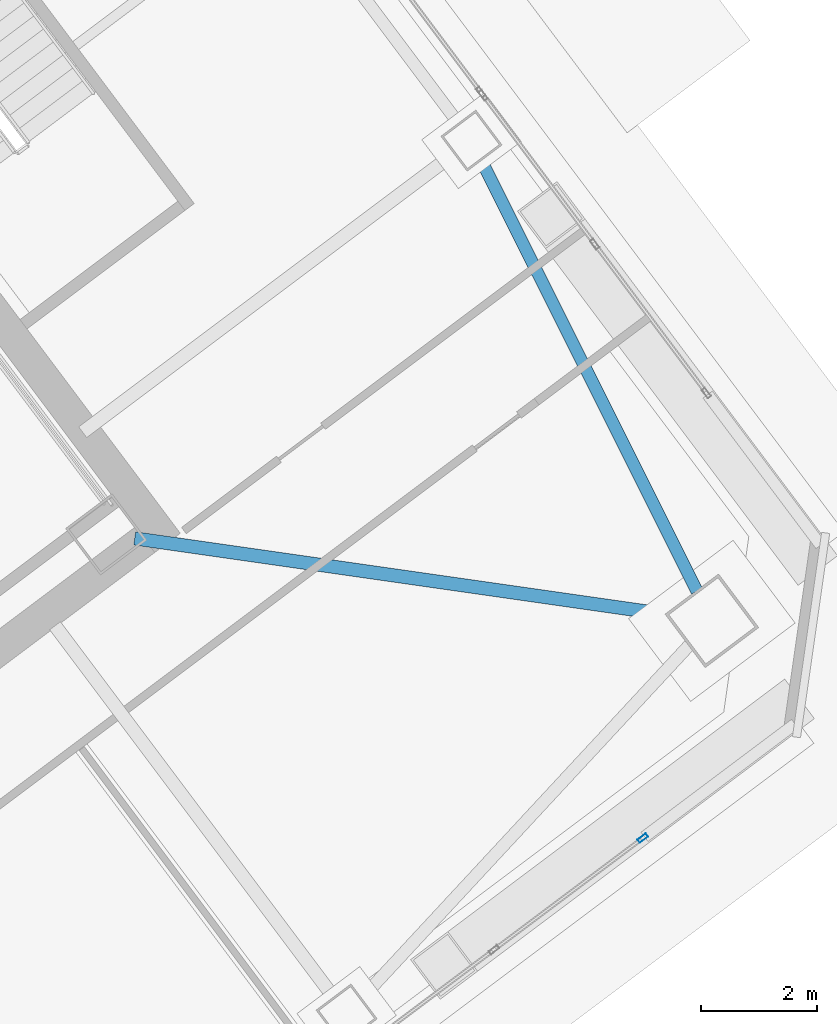
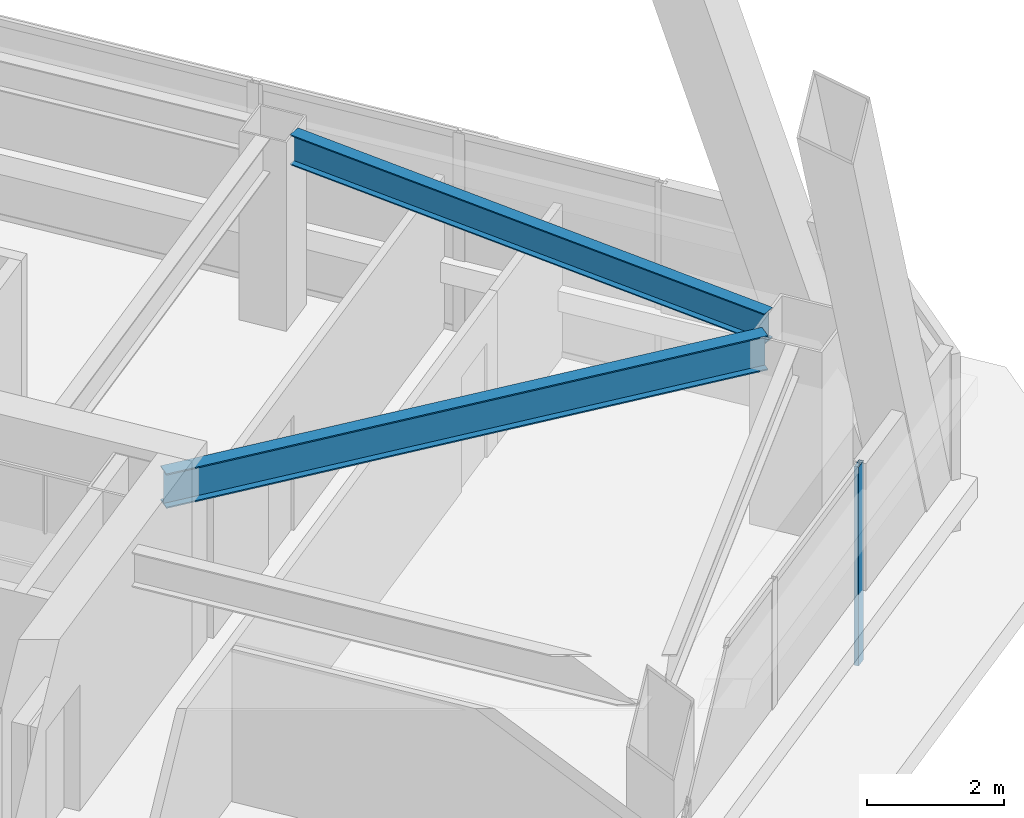
# One storey, part 42 of 65: 2 beams, 1 member, 1 element without a shape of its own.
"""IFC4 building model written with IfcOpenShell, lengths in metres."""

from ifc_helpers import new_model, si_unit, direction, frame, origin, origin_2d, place, context, subcontext, project, spatial, hollow_rectangle, i_section, extrude, material, material_profile, profile_set, type_object, element, aggregate, save


model = new_model("IFC4")

# Units and contexts
model_context = context("Model", 3, precision=1e-05, world=origin(), true_north=direction((0.0, 1.0)))
body_context = subcontext(model_context, "Body", "Model", "MODEL_VIEW")
ifc_project = project(units=[si_unit("LENGTHUNIT", "METRE"), si_unit("AREAUNIT", "SQUARE_METRE"), si_unit("VOLUMEUNIT", "CUBIC_METRE"), si_unit("PLANEANGLEUNIT", "RADIAN"), si_unit("MASSUNIT", "GRAM", prefix="KILO")], contexts=[model_context])

# Site, building, storey
site_placement = place(None, origin())
site = spatial("IfcSite", under=ifc_project, at=site_placement, CompositionType="ELEMENT")
building_placement = place(site_placement, origin())
building = spatial("IfcBuilding", under=site, at=building_placement, Name="Tashvorn Skyway Center", CompositionType="ELEMENT")
storey_placement = place(building_placement, frame((0.0, 0.0, 157.0)))
storey = spatial("IfcBuildingStorey", under=building, at=storey_placement, Name="L42", CompositionType="ELEMENT", Elevation=157.0)

# Beams
ifc_material_1 = material(Name="Steel ASTM A992 Grade 50", Category="steel")
ifc_material_profile_1 = material_profile(ifc_material_1, i_section(OverallWidth=0.22998046875, OverallDepth=0.616943359375, WebThickness=0.01318359375, FlangeThickness=0.022216796875, at=origin_2d()), Name="W24X94")
ifc_profile_set_1 = profile_set([ifc_material_profile_1], Name="Steel ASTM A992 Grade 50")
beam_type_1 = type_object("IfcBeamType", Name="BM-BEAM-W24X94", PredefinedType="BEAM", material=ifc_profile_set_1)
beam_1_placement = place(storey_placement, frame((133.73583984375, 29.1806640625, 3.0615234375), z_axis=(-0.989950009213, 0.141417747326, 0.0), x_axis=(-0.141417747326, -0.989950009213, 0.0)))
element("IfcBeam", 1, at=beam_1_placement, inside=storey, type_object=beam_type_1, Name="Tower 2 L42 Primary Floor Girder MC-SE", PredefinedType="BEAM", context=body_context, shape_type="SweptSolid", body=[
    extrude(i_section(OverallWidth=0.22998046875, OverallDepth=0.616943359375, WebThickness=0.01318359375, FlangeThickness=0.022216796875, at=origin_2d()), origin(), (0.0, 0.0, 1.0), 9.470947265625),
])
ifc_material_profile_2 = material_profile(ifc_material_1, i_section(OverallWidth=0.2109375, OverallDepth=0.5390625, WebThickness=0.01171875, FlangeThickness=0.018798828125, at=origin_2d()), Name="W21X73")
ifc_profile_set_2 = profile_set([ifc_material_profile_2], Name="Steel ASTM A992 Grade 50")
beam_type_2 = type_object("IfcBeamType", Name="BM-SPANDREL-W21X73", PredefinedType="SPANDREL", material=ifc_profile_set_2)
beam_2_placement = place(storey_placement, frame((134.044921875, 29.609619140625, 3.1005859375), z_axis=(-0.447648438059, 0.894209637559, 0.0), x_axis=(-0.894209637559, -0.447648438059, 0.0)))
element("IfcBeam", 2, at=beam_2_placement, inside=storey, type_object=beam_type_2, Name="Tower 2 L42 Spandrel Beam 04", PredefinedType="SPANDREL", context=body_context, shape_type="SweptSolid", body=[
    extrude(i_section(OverallWidth=0.2109375, OverallDepth=0.5390625, WebThickness=0.01171875, FlangeThickness=0.018798828125, at=origin_2d()), origin(), (0.0, 0.0, 1.0), 8.308349609375),
])

# Curtain wall, member
ifc_material_2 = material(Name="Thermally broken bronze-anodized aluminium 6063-T6", Category="aluminium")
curtain_wall_type = type_object("IfcCurtainWallType", Name="CW-CW-Z4", PredefinedType="NOTDEFINED", material=ifc_material_2)
curtain_wall_placement = place(storey_placement, origin())
curtain_wall = element("IfcCurtainWall", 3, at=curtain_wall_placement, inside=storey, type_object=curtain_wall_type, Name="Tower 2 L42 South Unitised Curtain Wall Glazing Group 1", PredefinedType="NOTDEFINED")
ifc_material_profile_3 = material_profile(ifc_material_2, hollow_rectangle(XDim=0.070068359375, YDim=0.179931640625, WallThickness=0.00390625, at=origin_2d()), Name="ALU-MULL-70x180")
ifc_profile_set_3 = profile_set([ifc_material_profile_3], Name="Thermally broken bronze-anodized aluminium 6063-T6")
member_type = type_object("IfcMemberType", Name="CWM-CW-Z4", PredefinedType="MULLION", material=ifc_profile_set_3)
member_placement = place(storey_placement, frame((133.112060546875, 25.35888671875, 0.0), z_axis=(0.0, 0.0, 1.0), x_axis=(0.600000000002, -0.799999999998, 0.0)))
member = element("IfcMember", 4, at=member_placement, type_object=member_type, Name="CW-Z4 mullion 1", PredefinedType="MULLION", context=body_context, shape_type="SweptSolid", body=[
    extrude(hollow_rectangle(XDim=0.070068359375, YDim=0.179931640625, WallThickness=0.00390625, at=origin_2d()), origin(), (0.0, 0.0, 1.0), 3.550048828125),
])
aggregate(curtain_wall, [member])

save(model, "model.ifc")
